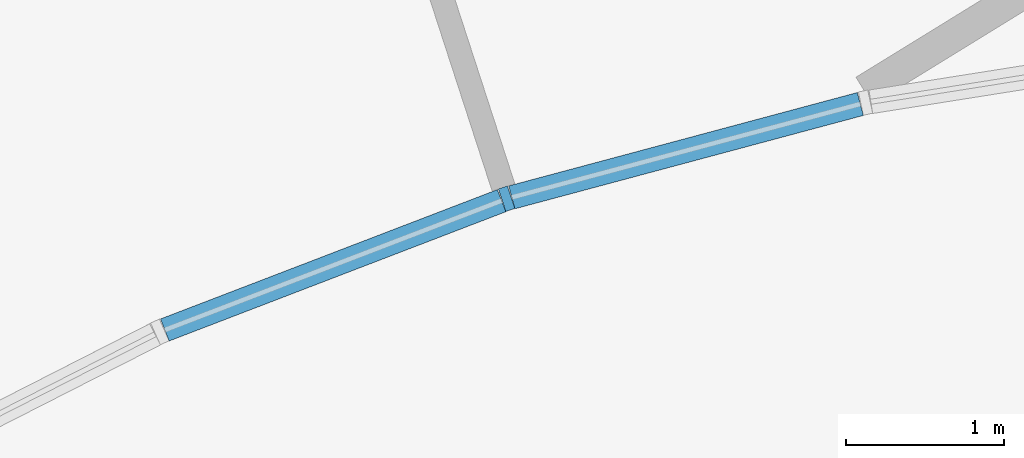
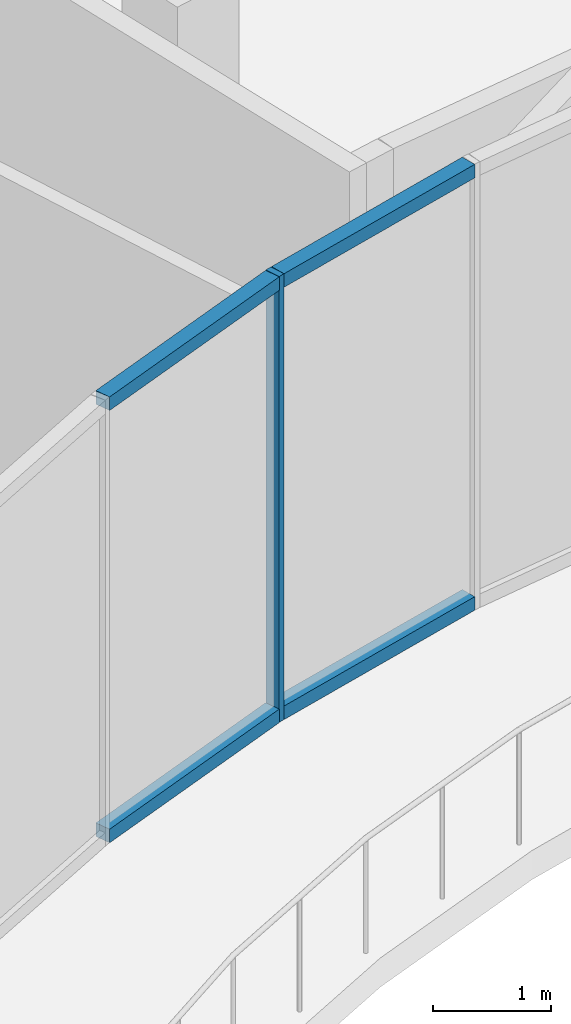
# One storey, part 5 of 40: 5 members, 1 element without a shape of its own.
"""IFC4 building model written with IfcOpenShell, lengths in metres."""

from ifc_helpers import new_model, si_unit, direction, frame, origin, origin_2d, place, context, subcontext, project, spatial, rectangle, extrude, material, layer, layer_set, material_profile, profile_set, type_object, element, aggregate, save


model = new_model("IFC4")

# Units and contexts
model_context = context("Model", 3, precision=1e-05, world=origin(), true_north=direction((0.0, 1.0)))
body_context = subcontext(model_context, "Body", "Model", "MODEL_VIEW")
ifc_project = project(units=[si_unit("LENGTHUNIT", "METRE"), si_unit("AREAUNIT", "SQUARE_METRE"), si_unit("VOLUMEUNIT", "CUBIC_METRE"), si_unit("PLANEANGLEUNIT", "RADIAN"), si_unit("MASSUNIT", "GRAM", prefix="KILO")], contexts=[model_context])

# Site, building, storey
site_placement = place(None, origin())
site = spatial("IfcSite", under=ifc_project, at=site_placement, CompositionType="ELEMENT")
building_placement = place(site_placement, origin())
building = spatial("IfcBuilding", under=site, at=building_placement, Name="Stone Belt Terrace Tower", CompositionType="ELEMENT")
storey_placement = place(building_placement, frame((0.0, 0.0, 11.60009765625)))
storey = spatial("IfcBuildingStorey", under=building, at=storey_placement, Name="L02", CompositionType="ELEMENT", Elevation=11.60009765625)

# Curtain wall, members
ifc_material = material(Name="Aluminium 6063-T6 anodised frame", Category="aluminium")
ifc_layer = layer(ifc_material, 0.14990234375)
ifc_layer_set = layer_set([ifc_layer], Name="CW-D podium shopfront")
curtain_wall_type = type_object("IfcCurtainWallType", Name="CW-D podium shopfront", PredefinedType="NOTDEFINED", material=ifc_layer_set)
curtain_wall_placement = place(storey_placement, origin())
curtain_wall = element("IfcCurtainWall", 1, at=curtain_wall_placement, inside=storey, type_object=curtain_wall_type, Name="CW-D concave face L02", PredefinedType="NOTDEFINED")
ifc_material_profile_1 = material_profile(ifc_material, rectangle(XDim=0.14990234375, YDim=0.06005859375, at=origin_2d()), Name="Aluminium 6063-T6 60x150")
ifc_profile_set_1 = profile_set([ifc_material_profile_1], Name="Aluminium 6063-T6 anodised frame")
member_type_1 = type_object("IfcMemberType", Name="CW-D mullion 60 x 150", PredefinedType="MULLION", material=ifc_profile_set_1)
member_1_placement = place(storey_placement, frame((-6.9296875, 21.327392578125, 0.0), z_axis=(0.0, 0.0, 1.0), x_axis=(-0.309016994375, 0.951056516295, 0.0)))
member_1 = element("IfcMember", 2, at=member_1_placement, type_object=member_type_1, Name="CW-D mullion 9", PredefinedType="MULLION", context=body_context, shape_type="SweptSolid", body=[
    extrude(rectangle(XDim=0.14990234375, YDim=0.06005859375, at=origin_2d()), origin(), (0.0, 0.0, 1.0), 4.599853515625),
])
ifc_material_profile_2 = material_profile(ifc_material, rectangle(XDim=0.14990234375, YDim=0.139892578125, at=origin_2d()), Name="Aluminium 6063-T6 150x140")
ifc_profile_set_2 = profile_set([ifc_material_profile_2], Name="Aluminium 6063-T6 anodised frame")
member_type_2 = type_object("IfcMemberType", Name="CW-D transom 140 x 150", PredefinedType="USERDEFINED", material=ifc_profile_set_2)
member_2_placement = place(storey_placement, frame((-9.08935546875, 20.498291015625, 0.06982421875), z_axis=(0.933571787381, 0.358390454403, 0.0), x_axis=(-0.358390454403, 0.933571787381, 0.0)))
member_2 = element("IfcMember", 3, at=member_2_placement, type_object=member_type_2, Name="CW-D transom 8.1", ObjectType="TRANSOM", PredefinedType="USERDEFINED", context=body_context, shape_type="SweptSolid", body=[
    extrude(rectangle(XDim=0.14990234375, YDim=0.139892578125, at=origin_2d()), origin(), (0.0, 0.0, 1.0), 2.279296875),
])
member_3_placement = place(storey_placement, frame((-9.08935546875, 20.498291015625, 4.52978515625), z_axis=(0.933571787381, 0.358390454403, 0.0), x_axis=(-0.358390454403, 0.933571787381, 0.0)))
member_3 = element("IfcMember", 4, at=member_3_placement, type_object=member_type_2, Name="CW-D transom 8.2", ObjectType="TRANSOM", PredefinedType="USERDEFINED", context=body_context, shape_type="SweptSolid", body=[
    extrude(rectangle(XDim=0.14990234375, YDim=0.139892578125, at=origin_2d()), origin(), (0.0, 0.0, 1.0), 2.279296875),
])
member_4_placement = place(storey_placement, frame((-6.89697265625, 21.336181640625, 0.06982421875), z_axis=(0.965942793451, 0.258755714489, 0.0), x_axis=(-0.258755714489, 0.965942793451, 0.0)))
member_4 = element("IfcMember", 5, at=member_4_placement, type_object=member_type_2, Name="CW-D transom 9.1", ObjectType="TRANSOM", PredefinedType="USERDEFINED", context=body_context, shape_type="SweptSolid", body=[
    extrude(rectangle(XDim=0.14990234375, YDim=0.139892578125, at=origin_2d()), origin(), (0.0, 0.0, 1.0), 2.279541015625),
])
member_5_placement = place(storey_placement, frame((-6.89697265625, 21.336181640625, 4.52978515625), z_axis=(0.965942793451, 0.258755714489, 0.0), x_axis=(-0.258755714489, 0.965942793451, 0.0)))
member_5 = element("IfcMember", 6, at=member_5_placement, type_object=member_type_2, Name="CW-D transom 9.2", ObjectType="TRANSOM", PredefinedType="USERDEFINED", context=body_context, shape_type="SweptSolid", body=[
    extrude(rectangle(XDim=0.14990234375, YDim=0.139892578125, at=origin_2d()), origin(), (0.0, 0.0, 1.0), 2.279541015625),
])
aggregate(curtain_wall, [member_1, member_2, member_3, member_4, member_5])

save(model, "model.ifc")
